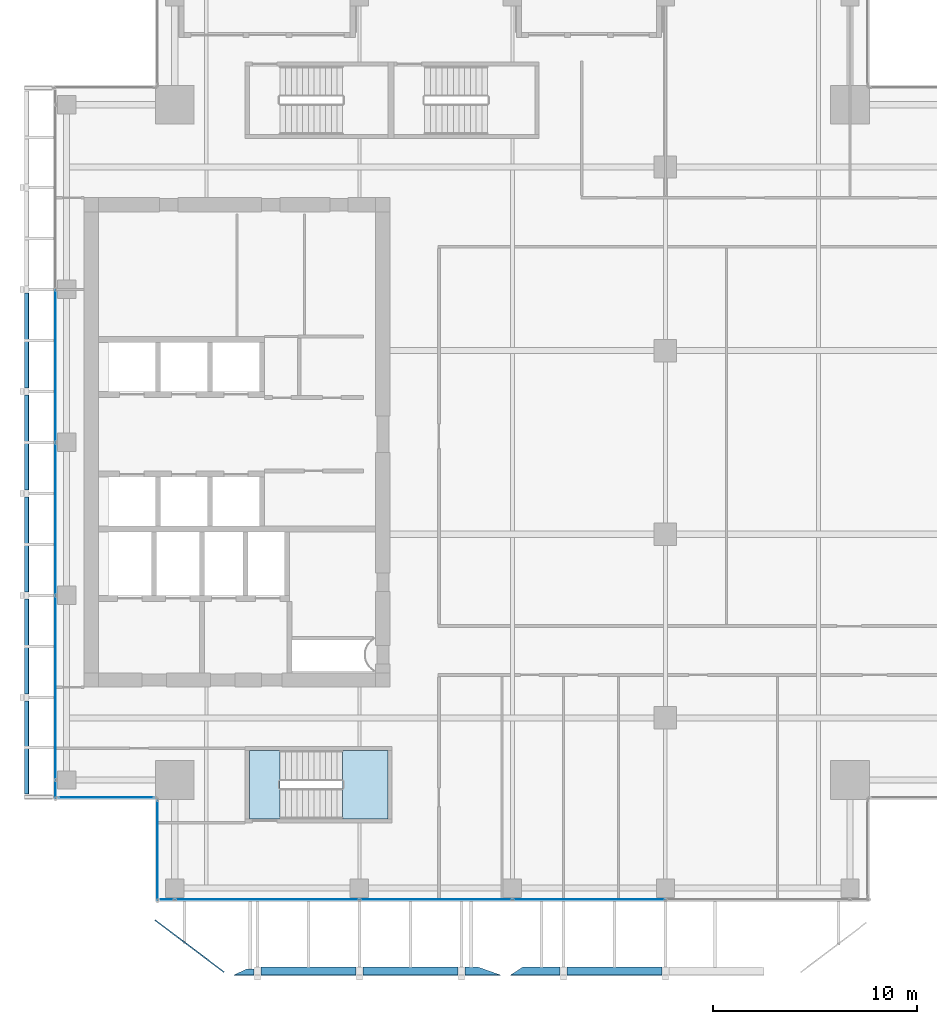
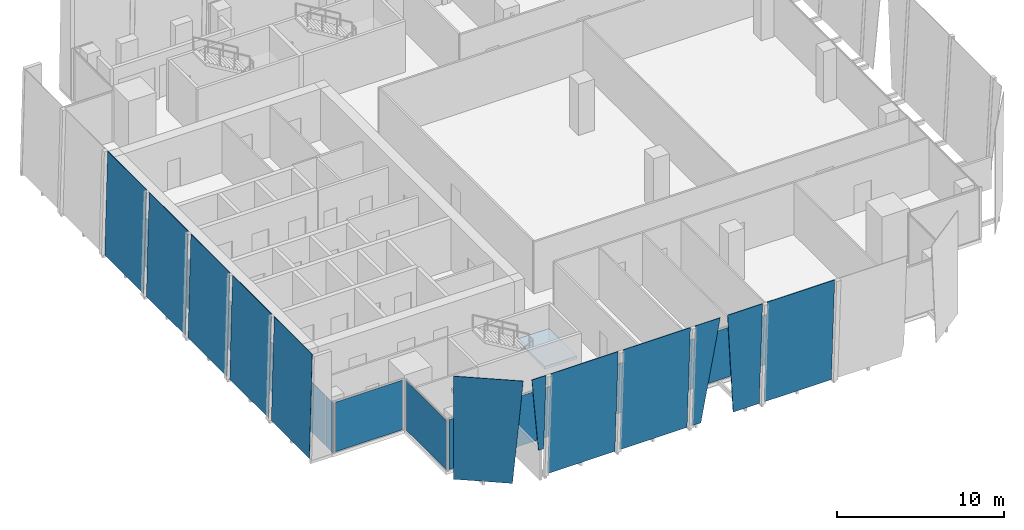
# One storey, part 23 of 35: 22 plates, 2 slabs, 5 elements without a shape of their own.
"""IFC4 building model written with IfcOpenShell, lengths in metres."""

from ifc_helpers import new_model, si_unit, direction, frame, origin, origin_2d, place, context, subcontext, project, spatial, polyline, rectangle, outline, extrude, source, transform, mapped, material, layer, layer_set, type_object, element, aggregate, save


model = new_model("IFC4")

# Units and contexts
model_context = context("Model", 3, precision=1e-05, world=origin(), true_north=direction((0.0, 1.0)))
body_context = subcontext(model_context, "Body", "Model", "MODEL_VIEW")
ifc_project = project(units=[si_unit("LENGTHUNIT", "METRE"), si_unit("AREAUNIT", "SQUARE_METRE"), si_unit("VOLUMEUNIT", "CUBIC_METRE"), si_unit("PLANEANGLEUNIT", "RADIAN"), si_unit("MASSUNIT", "GRAM", prefix="KILO")], contexts=[model_context])

# Site, building, storey
site_placement = place(None, origin())
site = spatial("IfcSite", under=ifc_project, at=site_placement, CompositionType="ELEMENT")
building_placement = place(site_placement, origin())
building = spatial("IfcBuilding", under=site, at=building_placement, Name="Khomas Fold Tower", CompositionType="ELEMENT")
storey_placement = place(building_placement, frame((0.0, 0.0, 266.199951171875)))
storey = spatial("IfcBuildingStorey", under=building, at=storey_placement, Name="L60", CompositionType="ELEMENT", Elevation=266.199951171875)

# Plates
ifc_material_1 = material(Name="Clear laminated glass", Category="glass")
ifc_layer_1 = layer(ifc_material_1, 0.0400390625)
ifc_layer_set_1 = layer_set([ifc_layer_1], Name="Clear laminated glass")
plate_type_1 = type_object("IfcPlateType", Name="SK-Clear laminated glass leaf", PredefinedType="SHEET", material=ifc_layer_set_1)
plate_1_placement = place(storey_placement, frame((12.345703125, 1.44580078125, 0.0), z_axis=(0.603587467719, 0.797296788409, 2.220301e-06), x_axis=(-0.797296788411, 0.603587467721, 1e-11)))
element("IfcPlate", 1, at=plate_1_placement, inside=storey, type_object=plate_type_1, Name="OUTER SKIN glass L60 SG098-1", PredefinedType="SHEET", context=body_context, shape_type="SweptSolid", body=[
    extrude(outline(polyline([(0.0, 0.0), (3.569176557833546, 4.235164736271502e-22), (3.5691765579122787, 7.55004882810639), (-0.6556219992286965, 7.550048828187666), (0.0, 0.0)])), origin(), (0.0, 0.0, -1.0), 0.0400390625),
])
plate_2_placement = place(storey_placement, frame((13.351806640625, 0.8984375, 7.550048828125), z_axis=(0.0, 0.998630420935, 0.05231904418), x_axis=(1.0, 0.0, 0.0)))
element("IfcPlate", 2, at=plate_2_placement, inside=storey, type_object=plate_type_1, Name="OUTER SKIN glass L60 SG098-2", PredefinedType="SHEET", context=body_context, shape_type="SweptSolid", body=[
    extrude(outline(polyline([(0.0, 0.0), (0.978271484375, 0.0), (0.978271484375, 5.557660483575559), (0.62451171875, 5.557660483575559), (0.0, 0.0)])), origin(), (0.0, 0.0, -1.0), 0.0400390625),
])
for number, where, z_axis, x_axis, name in (
    (3, (14.669921875, 1.2939453125, 0.0), (0.0, 0.998630733741, 0.052313073198), (0.0, -0.052313073198, 0.998630733741), "OUTER SKIN glass L60 SG099-4"),
    (4, (19.669921875, 1.2939453125, 0.0), (0.0, 0.998630733741, 0.052313073198), (0.0, -0.052313073198, 0.998630733741), "OUTER SKIN glass L60 SG100-6"),
):
    element("IfcPlate", number, at=place(storey_placement, frame(where, z_axis=z_axis, x_axis=x_axis)), inside=storey, type_object=plate_type_1, Name=name, PredefinedType="SHEET", context=body_context, shape_type="SweptSolid", body=[
        extrude(outline(polyline([(0.0, 0.0), (7.560401030158403, 0.0), (7.560401030158403, 4.66015625), (0.0, 4.66015625), (0.0, 0.0)])), origin(), (0.0, 0.0, -1.0), 0.0400390625),
    ])
plate_3_placement = place(storey_placement, frame((25.284423828125, 1.2939453125, 0.0), z_axis=(0.0, 0.998630733741, 0.052313073198), x_axis=(-1.0, 0.0, 0.0)))
element("IfcPlate", 5, at=plate_3_placement, inside=storey, type_object=plate_type_1, Name="OUTER SKIN glass L60 SG101-8", PredefinedType="SHEET", context=body_context, shape_type="SweptSolid", body=[
    extrude(outline(polyline([(0.0, 0.0), (0.614501953125, 0.0), (0.614501953125, 7.560401030158403), (-1.12158203125, 7.560401030158403), (0.0, 0.0)])), origin(), (0.0, 0.0, -1.0), 0.0400390625),
])
plate_4_placement = place(storey_placement, frame((27.525634765625, 1.2939453125, 0.0), z_axis=(0.0, 0.998630733741, 0.052313073198), x_axis=(-0.080883962027, -0.052141670706, 0.995358744806)))
element("IfcPlate", 6, at=plate_4_placement, inside=storey, type_object=plate_type_1, Name="OUTER SKIN glass L60 SG101-9", PredefinedType="SHEET", context=body_context, shape_type="SweptSolid", body=[
    extrude(outline(polyline([(0.0, 0.0), (7.585253927309341, 1.1102230246251565e-16), (7.389679034750798, 2.410046335110028), (-0.14595052816035883, 1.7985311452744566), (0.0, 0.0)])), origin(), (0.0, 0.0, -1.0), 0.0400390625),
])
plate_5_placement = place(storey_placement, frame((29.669921875, 1.2939453125, 0.0), z_axis=(0.0, 0.998630733741, 0.052313073198), x_axis=(0.0, -0.052313073198, 0.998630733741)))
element("IfcPlate", 7, at=plate_5_placement, inside=storey, type_object=plate_type_1, Name="OUTER SKIN glass L60 SG102-11", PredefinedType="SHEET", context=body_context, shape_type="SweptSolid", body=[
    extrude(outline(polyline([(0.0, 0.0), (7.560401030158403, 0.0), (7.560401030158403, 4.66015625), (0.0, 4.66015625), (0.0, 0.0)])), origin(), (0.0, 0.0, -1.0), 0.0400390625),
])
plate_6_placement = place(storey_placement, frame((3.07275390625, 9.77001953125, 0.0009765625), z_axis=(-0.99965715546, 0.0, 0.026183421048), x_axis=(0.0, 1.0, 0.0)))
element("IfcPlate", 8, at=plate_6_placement, inside=storey, type_object=plate_type_1, Name="OUTER SKIN glass L60 W1", PredefinedType="SHEET", context=body_context, shape_type="SweptSolid", body=[
    extrude(outline(polyline([(0.0, 0.0), (4.56005859375, 0.0), (4.56005859375, -7.552638208898188), (0.0, -7.552638208898188), (0.0, 0.0)])), origin(), (0.0, 0.0, -1.0), 0.0400390625),
])
for number, where, z_axis, x_axis, name in (
    (9, (3.07275390625, 14.669921875, 0.0009765625), (-0.99965715546, 0.0, 0.026183421048), (0.0, 1.0, 0.0), "OUTER SKIN glass L60 W3"),
    (10, (3.07275390625, 19.669921875, 0.0009765625), (-0.99965715546, 0.0, 0.026183421048), (0.0, 1.0, 0.0), "OUTER SKIN glass L60 W5"),
    (11, (3.07275390625, 24.669921875, 0.0009765625), (-0.99965715546, 0.0, 0.026183421048), (0.0, 1.0, 0.0), "OUTER SKIN glass L60 W7"),
    (12, (3.07275390625, 29.669921875, 0.0009765625), (-0.99965715546, 0.0, 0.026183421048), (0.0, 1.0, 0.0), "OUTER SKIN glass L60 W9"),
):
    element("IfcPlate", number, at=place(storey_placement, frame(where, z_axis=z_axis, x_axis=x_axis)), inside=storey, type_object=plate_type_1, Name=name, PredefinedType="SHEET", context=body_context, shape_type="SweptSolid", body=[
        extrude(outline(polyline([(0.0, 0.0), (4.66015625, 0.0), (4.66015625, -7.552638208898188), (0.0, -7.552638208898188), (0.0, 0.0)])), origin(), (0.0, 0.0, -1.0), 0.0400390625),
    ])

# Curtain wall, plates
ifc_material_2 = material(Name="Aluminium framed double glazing", Category="aluminium")
curtain_wall_type = type_object("IfcCurtainWallType", Name="SK-Unitised clear-glass wall, office floors CW2", PredefinedType="NOTDEFINED", material=ifc_material_2)
curtain_wall_1_placement = place(storey_placement, origin())
curtain_wall_1 = element("IfcCurtainWall", 13, at=curtain_wall_1_placement, inside=storey, type_object=curtain_wall_type, Name="CW2 run L60 00-0", PredefinedType="NOTDEFINED")
ifc_material_3 = material(Name="Clear double glazed unit")
ifc_layer_2 = layer(ifc_material_3, 0.030029296875)
ifc_layer_set_2 = layer_set([ifc_layer_2], Name="Clear double glazed unit")
plate_type_2 = type_object("IfcPlateType", Name="SK-Unitised clear-glass wall, office floors glass panel CW2-P", PredefinedType="CURTAIN_PANEL", material=ifc_layer_set_2)
shared_shape_1 = source(origin(), body_context, "Body", "SweptSolid", [
    extrude(rectangle(XDim=0.659912109375, YDim=0.030029296875, at=origin_2d()), origin(), (0.0, 0.0, 1.0), 3.639892578125),
])
plate_7_placement = place(storey_placement, frame((10.090087890625, 4.60009765625, 0.0), z_axis=(0.0, 0.0, 1.0), x_axis=(1.0, 0.0, 0.0)))
plate_7 = element("IfcPlate", 14, at=plate_7_placement, type_object=plate_type_2, Name="CW2 glass panel 1", PredefinedType="CURTAIN_PANEL", context=body_context, shape_type="MappedRepresentation", body=[
    mapped(shared_shape_1, transform((0.0, 0.0, 0.0))),
])
shared_shape_2 = source(origin(), body_context, "Body", "SweptSolid", [
    extrude(rectangle(XDim=7.43994140625, YDim=0.030029296875, at=origin_2d()), origin(), (0.0, 0.0, 1.0), 3.639892578125),
])
plate_8_placement = place(storey_placement, frame((23.25, 4.60009765625, 0.0), z_axis=(0.0, 0.0, 1.0), x_axis=(1.0, 0.0, 0.0)))
plate_8 = element("IfcPlate", 15, at=plate_8_placement, type_object=plate_type_2, Name="CW2 glass panel 3", PredefinedType="CURTAIN_PANEL", context=body_context, shape_type="MappedRepresentation", body=[
    mapped(shared_shape_2, transform((0.0, 0.0, 0.0))),
])
plate_9_placement = place(storey_placement, frame((30.75, 4.60009765625, 0.0), z_axis=(0.0, 0.0, 1.0), x_axis=(1.0, 0.0, 0.0)))
plate_9 = element("IfcPlate", 16, at=plate_9_placement, type_object=plate_type_2, Name="CW2 glass panel 4", PredefinedType="CURTAIN_PANEL", context=body_context, shape_type="MappedRepresentation", body=[
    mapped(shared_shape_2, transform((0.0, 0.0, 0.0))),
])

curtain_wall_2_placement = place(storey_placement, origin())
curtain_wall_2 = element("IfcCurtainWall", 17, at=curtain_wall_2_placement, inside=storey, type_object=curtain_wall_type, Name="CW2 run L60 09-0", PredefinedType="NOTDEFINED")
plate_10_placement = place(storey_placement, frame((4.60009765625, 30.75, 0.0), z_axis=(0.0, 0.0, 1.0), x_axis=(0.0, -1.0, 0.0)))
plate_10 = element("IfcPlate", 18, at=plate_10_placement, type_object=plate_type_2, Name="CW2 glass panel 3", PredefinedType="CURTAIN_PANEL", context=body_context, shape_type="MappedRepresentation", body=[
    mapped(shared_shape_2, transform((0.0, 0.0, 0.0))),
])
plate_11_placement = place(storey_placement, frame((4.60009765625, 23.25, 0.0), z_axis=(0.0, 0.0, 1.0), x_axis=(0.0, -1.0, 0.0)))
plate_11 = element("IfcPlate", 19, at=plate_11_placement, type_object=plate_type_2, Name="CW2 glass panel 4", PredefinedType="CURTAIN_PANEL", context=body_context, shape_type="MappedRepresentation", body=[
    mapped(shared_shape_2, transform((0.0, 0.0, 0.0))),
])
shared_shape_3 = source(origin(), body_context, "Body", "SweptSolid", [
    extrude(rectangle(XDim=0.860107421875, YDim=0.030029296875, at=origin_2d()), origin(), (0.0, 0.0, 1.0), 3.639892578125),
])
plate_12_placement = place(storey_placement, frame((4.60009765625, 9.989990234375, 0.0), z_axis=(0.0, 0.0, 1.0), x_axis=(0.0, -1.0, 0.0)))
plate_12 = element("IfcPlate", 20, at=plate_12_placement, type_object=plate_type_2, Name="CW2 glass panel 6", PredefinedType="CURTAIN_PANEL", context=body_context, shape_type="MappedRepresentation", body=[
    mapped(shared_shape_3, transform((0.0, 0.0, 0.0))),
])

# Plate
shared_shape_4 = source(origin(), body_context, "Body", "SweptSolid", [
    extrude(rectangle(XDim=8.989990234375, YDim=0.030029296875, at=origin_2d()), origin(), (0.0, 0.0, 1.0), 3.639892578125),
])
plate_13_placement = place(storey_placement, frame((14.97509765625, 4.60009765625, 0.0), z_axis=(0.0, 0.0, 1.0), x_axis=(1.0, 0.0, 0.0)))
plate_13 = element("IfcPlate", 21, at=plate_13_placement, type_object=plate_type_2, Name="CW2 glass panel 2", PredefinedType="CURTAIN_PANEL", context=body_context, shape_type="MappedRepresentation", body=[
    mapped(shared_shape_4, transform((0.0, 0.0, 0.0))),
])

aggregate(curtain_wall_1, [plate_7, plate_13, plate_8, plate_9])

plate_14_placement = place(storey_placement, frame((4.60009765625, 14.97509765625, 0.0), z_axis=(0.0, 0.0, 1.0), x_axis=(0.0, -1.0, 0.0)))
plate_14 = element("IfcPlate", 22, at=plate_14_placement, type_object=plate_type_2, Name="CW2 glass panel 5", PredefinedType="CURTAIN_PANEL", context=body_context, shape_type="MappedRepresentation", body=[
    mapped(shared_shape_4, transform((0.0, 0.0, 0.0))),
])

aggregate(curtain_wall_2, [plate_10, plate_11, plate_14, plate_12])

# Curtain wall, plate
curtain_wall_3_placement = place(storey_placement, origin())
curtain_wall_3 = element("IfcCurtainWall", 23, at=curtain_wall_3_placement, inside=storey, type_object=curtain_wall_type, Name="CW2 corner return L60 10", PredefinedType="NOTDEFINED")
shared_shape_5 = source(origin(), body_context, "Body", "SweptSolid", [
    extrude(rectangle(XDim=4.679931640625, YDim=0.030029296875, at=origin_2d()), origin(), (0.0, 0.0, 1.0), 3.639892578125),
])
plate_15_placement = place(storey_placement, frame((7.10009765625, 9.60009765625, 0.0), z_axis=(0.0, 0.0, 1.0), x_axis=(1.0, 0.0, 0.0)))
plate_15 = element("IfcPlate", 24, at=plate_15_placement, type_object=plate_type_2, Name="CW2 glass panel 1", PredefinedType="CURTAIN_PANEL", context=body_context, shape_type="MappedRepresentation", body=[
    mapped(shared_shape_5, transform((0.0, 0.0, 0.0))),
])
aggregate(curtain_wall_3, [plate_15])

curtain_wall_4_placement = place(storey_placement, origin())
curtain_wall_4 = element("IfcCurtainWall", 25, at=curtain_wall_4_placement, inside=storey, type_object=curtain_wall_type, Name="CW2 corner return L60 11", PredefinedType="NOTDEFINED")
shared_shape_6 = source(origin(), body_context, "Body", "SweptSolid", [
    extrude(rectangle(XDim=4.8798828125, YDim=0.030029296875, at=origin_2d()), origin(), (0.0, 0.0, 1.0), 3.639892578125),
])
plate_16_placement = place(storey_placement, frame((9.60009765625, 7.0, 0.0), z_axis=(0.0, 0.0, 1.0), x_axis=(0.0, -1.0, 0.0)))
plate_16 = element("IfcPlate", 26, at=plate_16_placement, type_object=plate_type_2, Name="CW2 glass panel 1", PredefinedType="CURTAIN_PANEL", context=body_context, shape_type="MappedRepresentation", body=[
    mapped(shared_shape_6, transform((0.0, 0.0, 0.0))),
])
aggregate(curtain_wall_4, [plate_16])

# Stair, slab
ifc_material_4 = material(Name="Concrete C40/50", Category="concrete")
stair_type = type_object("IfcStairType", Name="Stair ST2", PredefinedType="HALF_TURN_STAIR", material=ifc_material_4)
stair_placement = place(storey_placement, origin())
stair = element("IfcStair", 27, at=stair_placement, inside=storey, type_object=stair_type, Name="L60 ST2", PredefinedType="HALF_TURN_STAIR")
ifc_material_5 = material(Name="Concrete C40/50", Category="concrete")
ifc_layer_3 = layer(ifc_material_5, 0.199951171875)
ifc_layer_set_3 = layer_set([ifc_layer_3], Name="Concrete C40/50")
slab_type_1 = type_object("IfcSlabType", Name="Stair landing 200", PredefinedType="LANDING", material=ifc_layer_set_3)
shared_shape_7 = source(origin(), body_context, "Body", "SweptSolid", [
    extrude(outline(polyline([(18.679931640625, 8.550048828125), (20.89990234375, 8.550048828125), (20.89990234375, 11.89990234375), (18.679931640625, 11.89990234375), (18.679931640625, 8.550048828125)])), origin(), (0.0, 0.0, 1.0), 0.199951171875),
])
slab_1_placement = place(storey_placement, frame((0.0, 0.0, 1.800048828125)))
slab_1 = element("IfcSlab", 28, at=slab_1_placement, type_object=slab_type_1, Name="ST2 landing 1", PredefinedType="LANDING", context=body_context, shape_type="MappedRepresentation", body=[
    mapped(shared_shape_7, transform((0.0, 0.0, 0.0))),
])
aggregate(stair, [slab_1])

# Slab
ifc_material_6 = material(Name="Concrete C40/50", Category="concrete")
ifc_layer_4 = layer(ifc_material_6, 0.25)
ifc_layer_set_4 = layer_set([ifc_layer_4], Name="Concrete C40/50")
slab_type_2 = type_object("IfcSlabType", Name="Stair floor landing 250", PredefinedType="LANDING", material=ifc_layer_set_4)
shared_shape_8 = source(origin(), body_context, "Body", "SweptSolid", [
    extrude(outline(polyline([(15.60009765625, 8.550048828125), (14.10009765625, 8.550048828125), (14.10009765625, 11.89990234375), (15.60009765625, 11.89990234375), (15.60009765625, 8.550048828125)])), origin(), (0.0, 0.0, 1.0), 0.25),
])
slab_2_placement = place(storey_placement, frame((0.0, 0.0, -0.25)))
element("IfcSlab", 29, at=slab_2_placement, inside=storey, type_object=slab_type_2, Name="ST2 floor landing", PredefinedType="LANDING", context=body_context, shape_type="MappedRepresentation", body=[
    mapped(shared_shape_8, transform((0.0, 0.0, 0.0))),
])

save(model, "model.ifc")
